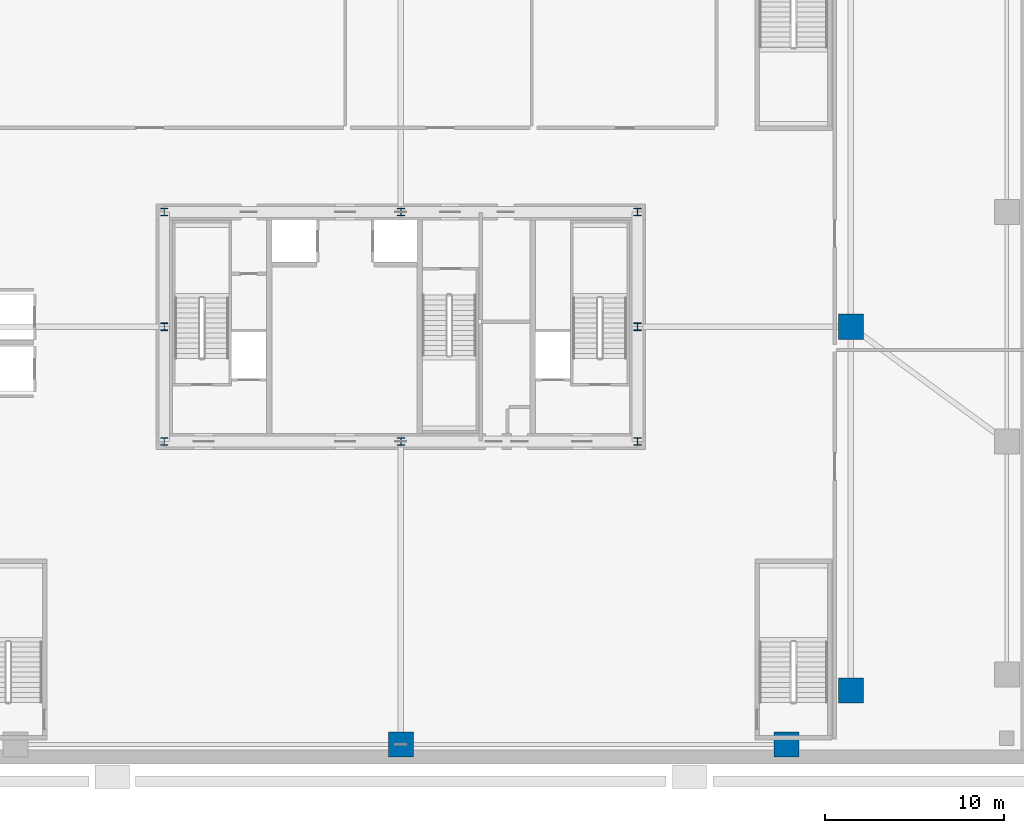
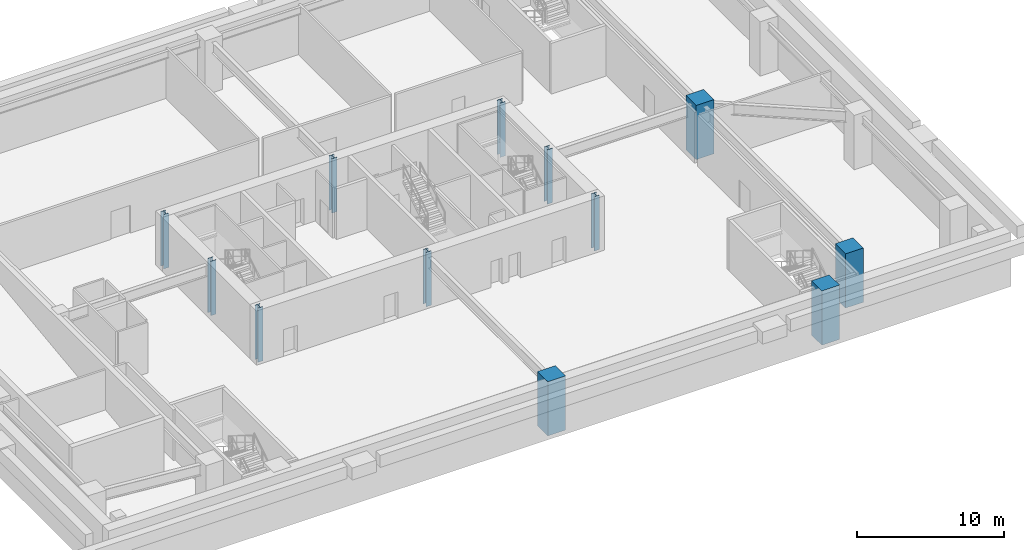
# One storey, part 2 of 9: 12 columns.
"""IFC4 building model written with IfcOpenShell, lengths in metres."""

from ifc_helpers import new_model, si_unit, direction, frame, origin, origin_2d, place, context, subcontext, project, spatial, rectangle, i_section, extrude, source, transform, mapped, material, material_profile, profile_set, type_object, element, save


model = new_model("IFC4")

# Units and contexts
model_context = context("Model", 3, precision=1e-05, world=origin(), true_north=direction((0.0, 1.0)))
body_context = subcontext(model_context, "Body", "Model", "MODEL_VIEW")
ifc_project = project(units=[si_unit("LENGTHUNIT", "METRE"), si_unit("AREAUNIT", "SQUARE_METRE"), si_unit("VOLUMEUNIT", "CUBIC_METRE"), si_unit("PLANEANGLEUNIT", "RADIAN"), si_unit("MASSUNIT", "GRAM", prefix="KILO"), si_unit("THERMODYNAMICTEMPERATUREUNIT", "KELVIN"), si_unit("POWERUNIT", "WATT")], contexts=[model_context])

# Site, building, storey
site_placement = place(None, origin())
site = spatial("IfcSite", under=ifc_project, at=site_placement, CompositionType="ELEMENT")
building_placement = place(site_placement, origin())
building = spatial("IfcBuilding", under=site, at=building_placement, Name="Yuzanri Waterfront Tower", CompositionType="ELEMENT")
storey_placement = place(building_placement, frame((0.0, 0.0, -4.5)))
storey = spatial("IfcBuildingStorey", under=building, at=storey_placement, Name="B01", CompositionType="ELEMENT", Elevation=-4.5)

# Columns
ifc_material_1 = material(Name="Steel Q355B", Category="steel")
ifc_material_profile_1 = material_profile(ifc_material_1, i_section(OverallWidth=0.406982421875, OverallDepth=0.427978515625, WebThickness=0.02001953125, FlangeThickness=0.034912109375, at=origin_2d()), Name="HW 428x407x20x35")
ifc_profile_set_1 = profile_set([ifc_material_profile_1], Name="Steel Q355B")
column_type_1 = type_object("IfcColumnType", Name="Core Post Q355B HW 428x407x20x35", PredefinedType="COLUMN", material=ifc_profile_set_1)
shared_shape_1 = source(origin(), body_context, "Body", "SweptSolid", [
    extrude(i_section(OverallWidth=0.406982421875, OverallDepth=0.427978515625, WebThickness=0.02001953125, FlangeThickness=0.034912109375, at=origin_2d()), origin(), (0.0, 0.0, 1.0), 4.5),
])
for number, where, z_axis, x_axis, name in (
    (1, (23.800048828125, 19.39990234375, 0.0), (0.0, 0.0, 1.0), (1.0, 0.0, 0.0), "B01 Core Boundary Column CP1"),
    (2, (37.0, 19.39990234375, 0.0), (0.0, 0.0, 1.0), (1.0, 0.0, 0.0), "B01 Core Boundary Column CP2"),
    (3, (50.199951171875, 19.39990234375, 0.0), (0.0, 0.0, 1.0), (1.0, 0.0, 0.0), "B01 Core Boundary Column CP3"),
    (4, (23.800048828125, 25.800048828125, 0.0), (0.0, 0.0, 1.0), (1.0, 0.0, 0.0), "B01 Core Boundary Column CP4"),
    (5, (50.199951171875, 25.800048828125, 0.0), (0.0, 0.0, 1.0), (1.0, 0.0, 0.0), "B01 Core Boundary Column CP5"),
    (6, (23.800048828125, 32.199951171875, 0.0), (0.0, 0.0, 1.0), (1.0, 0.0, 0.0), "B01 Core Boundary Column CP6"),
    (7, (37.0, 32.199951171875, 0.0), (0.0, 0.0, 1.0), (1.0, 0.0, 0.0), "B01 Core Boundary Column CP7"),
    (8, (50.199951171875, 32.199951171875, 0.0), (0.0, 0.0, 1.0), (1.0, 0.0, 0.0), "B01 Core Boundary Column CP8"),
):
    element("IfcColumn", number, at=place(storey_placement, frame(where, z_axis=z_axis, x_axis=x_axis)), inside=storey, type_object=column_type_1, Name=name, PredefinedType="COLUMN", context=body_context, shape_type="MappedRepresentation", body=[
        mapped(shared_shape_1, transform((0.0, 0.0, 0.0), scale=1.0)),
    ])
ifc_material_2 = material(Name="Concrete C60", Category="concrete")
ifc_material_profile_2 = material_profile(ifc_material_2, rectangle(XDim=1.39990234375, YDim=1.39990234375, at=origin_2d()), Name="RC 1400x1400")
ifc_profile_set_2 = profile_set([ifc_material_profile_2], Name="Concrete C60")
column_type_2 = type_object("IfcColumnType", Name="Podium RC Column C60 1400x1400", PredefinedType="COLUMN", material=ifc_profile_set_2)
shared_shape_2 = source(origin(), body_context, "Body", "SweptSolid", [
    extrude(rectangle(XDim=1.39990234375, YDim=1.39990234375, at=origin_2d()), origin(), (0.0, 0.0, 1.0), 4.5),
])
for number, where, z_axis, x_axis, name in (
    (9, (62.10009765625, 5.5, 0.0), (0.0, 0.0, 1.0), (1.0, 0.0, 0.0), "B01 Podium Column PTE1"),
    (10, (62.10009765625, 25.800048828125, 0.0), (0.0, 0.0, 1.0), (1.0, 0.0, 0.0), "B01 Podium Column PTE2"),
    (11, (37.0, 2.5, 0.0), (0.0, 0.0, 1.0), (1.0, 0.0, 0.0), "B01 Podium Column PTS2"),
    (12, (58.5, 2.5, 0.0), (0.0, 0.0, 1.0), (1.0, 0.0, 0.0), "B01 Podium Column PTS3"),
):
    element("IfcColumn", number, at=place(storey_placement, frame(where, z_axis=z_axis, x_axis=x_axis)), inside=storey, type_object=column_type_2, Name=name, PredefinedType="COLUMN", context=body_context, shape_type="MappedRepresentation", body=[
        mapped(shared_shape_2, transform((0.0, 0.0, 0.0), scale=1.0)),
    ])

save(model, "model.ifc")
